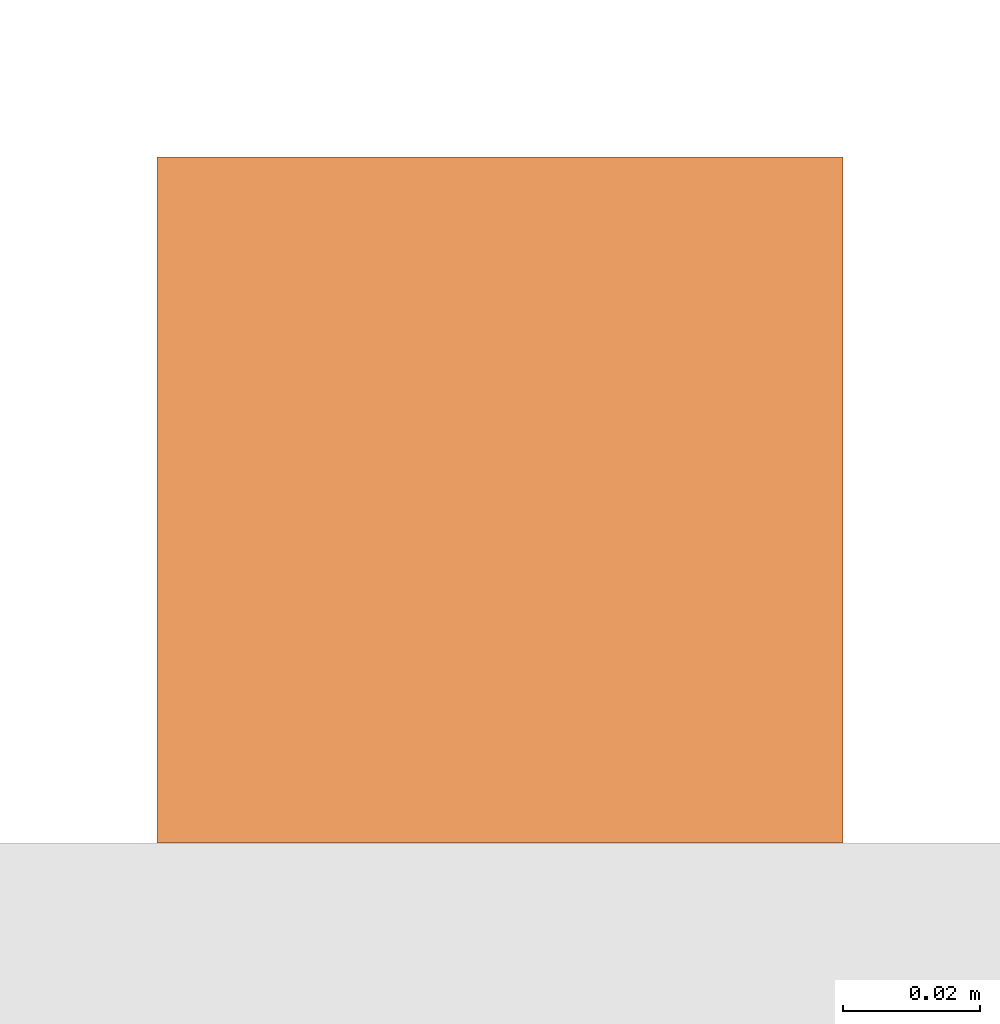
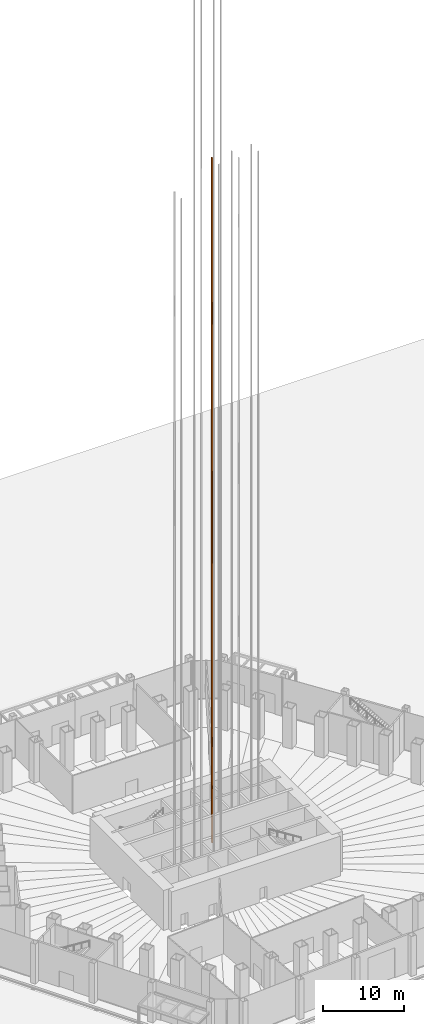
# One storey, part 41 of 45: 1 proxy.
"""IFC4 building model written with IfcOpenShell, lengths in metres."""

from ifc_helpers import new_model, si_unit, direction, frame, origin, origin_2d, place, context, subcontext, project, spatial, rectangle, extrude, material, type_object, element, save


model = new_model("IFC4")

# Units and contexts
model_context = context("Model", 3, precision=1e-05, world=origin(), true_north=direction((0.0, 1.0)))
body_context = subcontext(model_context, "Body", "Model", "MODEL_VIEW")
ifc_project = project(units=[si_unit("LENGTHUNIT", "METRE"), si_unit("AREAUNIT", "SQUARE_METRE"), si_unit("VOLUMEUNIT", "CUBIC_METRE"), si_unit("PLANEANGLEUNIT", "RADIAN"), si_unit("MASSUNIT", "GRAM", prefix="KILO")], contexts=[model_context])

# Site, building, storey
site_placement = place(None, origin())
site = spatial("IfcSite", under=ifc_project, at=site_placement, CompositionType="ELEMENT")
building_placement = place(site_placement, origin())
building = spatial("IfcBuilding", under=site, at=building_placement, Name="Qingtian Harvest Tower", CompositionType="ELEMENT")
storey_placement = place(building_placement, origin())
storey = spatial("IfcBuildingStorey", under=building, at=storey_placement, Name="L00", CompositionType="ELEMENT", Elevation=0.0)

# Proxy
ifc_material = material(Name="Steel SN490B", Category="steel")
building_element_proxy_type = type_object("IfcBuildingElementProxyType", Name="Lift guide rail LR1", PredefinedType="NOTDEFINED", material=ifc_material)
proxy_placement = place(storey_placement, frame((1.89990234375, 4.375, 0.0), z_axis=(0.0, 0.0, 1.0), x_axis=(1.0, 0.0, 0.0)))
element("IfcBuildingElementProxy", 1, at=proxy_placement, inside=storey, type_object=building_element_proxy_type, Name="Lift PLA1 guide rail 2", PredefinedType="NOTDEFINED", context=body_context, shape_type="SweptSolid", body=[
    extrude(rectangle(XDim=0.10009765625, YDim=0.10009765625, at=origin_2d()), origin(), (0.0, 0.0, 1.0), 103.0),
])

save(model, "model.ifc")
